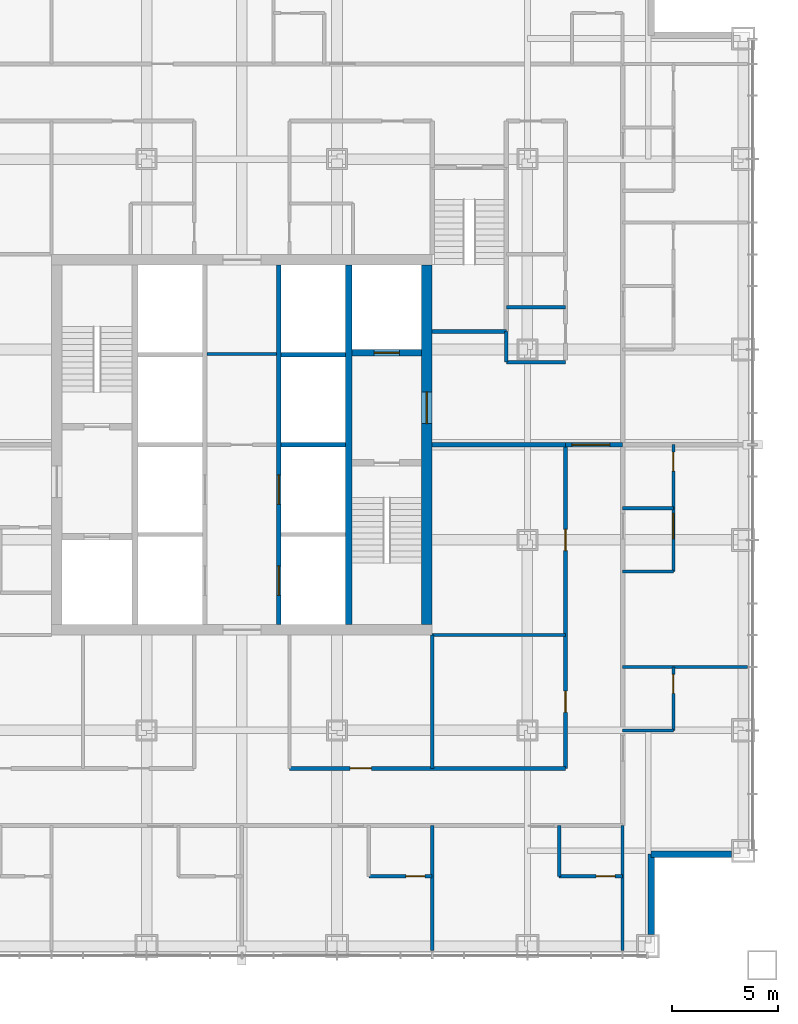
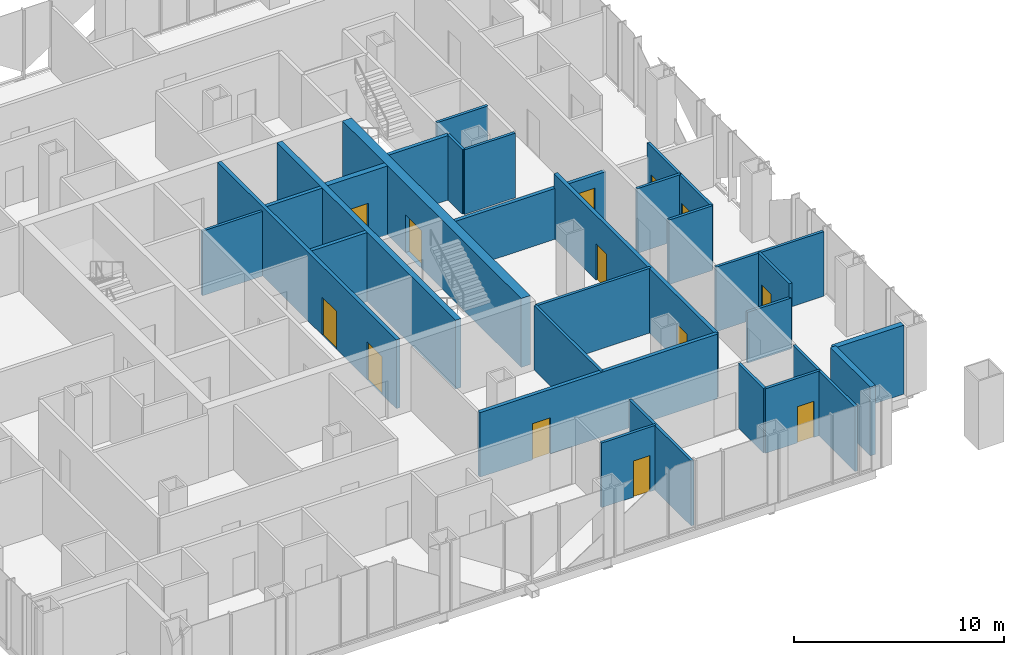
# One storey, part 10 of 13: 31 walls, 13 doors, 13 openings.
"""IFC4 building model written with IfcOpenShell, lengths in metres."""

from ifc_helpers import new_model, si_unit, direction, frame, frame_2d, origin, place, context, subcontext, project, spatial, rectangle, extrude, material, layer, layer_set, type_object, element, fill, save


model = new_model("IFC4")

# Units and contexts
model_context = context("Model", 3, precision=1e-05, world=origin(), true_north=direction((0.0, 1.0)))
body_context = subcontext(model_context, "Body", "Model", "MODEL_VIEW")
ifc_project = project(units=[si_unit("LENGTHUNIT", "METRE"), si_unit("AREAUNIT", "SQUARE_METRE"), si_unit("VOLUMEUNIT", "CUBIC_METRE"), si_unit("PLANEANGLEUNIT", "RADIAN"), si_unit("MASSUNIT", "GRAM", prefix="KILO")], contexts=[model_context])

# Site, building, storey
site_placement = place(None, origin())
site = spatial("IfcSite", under=ifc_project, at=site_placement, CompositionType="ELEMENT")
building_placement = place(site_placement, origin())
building = spatial("IfcBuilding", under=site, at=building_placement, Name="Malebo Sky Hospital", CompositionType="ELEMENT")
storey_placement = place(building_placement, frame((0.0, 0.0, 156.0)))
storey = spatial("IfcBuildingStorey", under=building, at=storey_placement, Name="L37", CompositionType="ELEMENT", Elevation=156.0)

# Wall, openings, doors
ifc_material_1 = material(Name="Concrete C80/95", Category="concrete")
ifc_layer_1 = layer(ifc_material_1, 0.199951171875)
ifc_layer_set_1 = layer_set([ifc_layer_1], Name="CORE INNER WALL 200")
wall_type_1 = type_object("IfcWallType", Name="CORE INNER WALL 200", PredefinedType="SHEAR", material=ifc_layer_set_1)
wall_1_placement = place(storey_placement, frame((61.75, 53.5, 0.0), z_axis=(0.0, 0.0, 1.0), x_axis=(0.0, 1.0, 0.0)))
wall_1 = element("IfcWall", 1, at=wall_1_placement, inside=storey, type_object=wall_type_1, Name="Core wall LE L37", PredefinedType="SHEAR", context=body_context, shape_type="SweptSolid", body=[
    extrude(rectangle(XDim=17.0, YDim=0.199951171875, at=frame_2d((8.5, 0.0))), origin(), (0.0, 0.0, 1.0), 4.0),
])
opening_1_placement = place(wall_1_placement, frame((1.375, 0.0, 0.0)))
opening_1 = element("IfcOpeningElement", 2, at=opening_1_placement, cuts=wall_1, Name="Opening LD1", PredefinedType="OPENING", context=body_context, shape_type="SweptSolid", body=[
    extrude(rectangle(XDim=1.39990234375, YDim=2.199951171875, at=frame_2d((0.699951171875, 1.10009765625))), frame((0.0, 0.10986328125, 0.0), z_axis=(0.0, -1.0, 0.0), x_axis=(1.0, 0.0, 0.0)), (0.0, 0.0, 1.0), 0.219970703125),
])
opening_2_placement = place(wall_1_placement, frame((5.675048828125, 0.0, 0.0)))
opening_2 = element("IfcOpeningElement", 3, at=opening_2_placement, cuts=wall_1, Name="Opening LD1", PredefinedType="OPENING", context=body_context, shape_type="SweptSolid", body=[
    extrude(rectangle(XDim=1.39990234375, YDim=2.199951171875, at=frame_2d((0.699951171875, 1.10009765625))), frame((0.0, 0.10986328125, 0.0), z_axis=(0.0, -1.0, 0.0), x_axis=(1.0, 0.0, 0.0)), (0.0, 0.0, 1.0), 0.219970703125),
])
ifc_material_2 = material(Name="Stainless steel sliding landing door", Category="steel")
door_type_1 = type_object("IfcDoorType", Name="LIFT LANDING DOOR 1400", OperationType="SLIDING_TO_LEFT", PredefinedType="DOOR", material=ifc_material_2)
door_1_placement = place(opening_1_placement, origin())
door_1 = element("IfcDoor", 4, at=door_1_placement, inside=storey, type_object=door_type_1, Name="Lift E1 landing door", OperationType="SLIDING_TO_LEFT", OverallHeight=2.199951171875, OverallWidth=1.39990234375, PredefinedType="DOOR", context=body_context, shape_type="SweptSolid", body=[
    extrude(rectangle(XDim=1.39990234375, YDim=2.199951171875, at=frame_2d((0.699951171875, 1.10009765625))), frame((0.0, 0.02490234375, 0.0), z_axis=(0.0, -1.0, 0.0), x_axis=(1.0, 0.0, 0.0)), (0.0, 0.0, 1.0), 0.050048828125),
])
fill(opening_1, door_1)
door_2_placement = place(opening_2_placement, origin())
door_2 = element("IfcDoor", 5, at=door_2_placement, inside=storey, type_object=door_type_1, Name="Lift E2 landing door", OperationType="SLIDING_TO_LEFT", OverallHeight=2.199951171875, OverallWidth=1.39990234375, PredefinedType="DOOR", context=body_context, shape_type="SweptSolid", body=[
    extrude(rectangle(XDim=1.39990234375, YDim=2.199951171875, at=frame_2d((0.699951171875, 1.10009765625))), frame((0.0, 0.02490234375, 0.0), z_axis=(0.0, -1.0, 0.0), x_axis=(1.0, 0.0, 0.0)), (0.0, 0.0, 1.0), 0.050048828125),
])
fill(opening_2, door_2)

# Walls
for number, where, z_axis, x_axis, name in (
    (6, (61.85009765625, 62.0, 0.0), (0.0, 0.0, 1.0), (1.0, 0.0, 0.0), "Core wall SE1 L37"),
    (7, (61.85009765625, 66.25, 0.0), (0.0, 0.0, 1.0), (1.0, 0.0, 0.0), "Core wall SE2 L37"),
):
    element("IfcWall", number, at=place(storey_placement, frame(where, z_axis=z_axis, x_axis=x_axis)), inside=storey, type_object=wall_type_1, Name=name, PredefinedType="SHEAR", context=body_context, shape_type="SweptSolid", body=[
        extrude(rectangle(XDim=3.0498046875, YDim=0.199951171875, at=frame_2d((1.52490234375, 0.0))), origin(), (0.0, 0.0, 1.0), 4.0),
    ])
ifc_layer_2 = layer(ifc_material_1, 0.300048828125)
ifc_layer_set_2 = layer_set([ifc_layer_2], Name="CORE INNER WALL 300")
wall_type_2 = type_object("IfcWallType", Name="CORE INNER WALL 300", PredefinedType="SHEAR", material=ifc_layer_set_2)
wall_2_placement = place(storey_placement, frame((65.050048828125, 53.5, 0.0), z_axis=(0.0, 0.0, 1.0), x_axis=(0.0, 1.0, 0.0)))
element("IfcWall", 8, at=wall_2_placement, inside=storey, type_object=wall_type_2, Name="Core wall XE L37", PredefinedType="SHEAR", context=body_context, shape_type="SweptSolid", body=[
    extrude(rectangle(XDim=17.0, YDim=0.300048828125, at=frame_2d((8.5, 0.0))), origin(), (0.0, 0.0, 1.0), 4.0),
])

# Wall, opening, door
wall_3_placement = place(storey_placement, frame((65.199951171875, 66.35009765625, 0.0), z_axis=(0.0, 0.0, 1.0), x_axis=(1.0, 0.0, 0.0)))
wall_3 = element("IfcWall", 9, at=wall_3_placement, inside=storey, type_object=wall_type_2, Name="Core wall E2 L37", PredefinedType="SHEAR", context=body_context, shape_type="SweptSolid", body=[
    extrude(rectangle(XDim=3.300048828125, YDim=0.300048828125, at=frame_2d((1.64990234375, 0.0))), origin(), (0.0, 0.0, 1.0), 4.0),
])
opening_3_placement = place(wall_3_placement, frame((1.050048828125, 0.0, 0.0)))
opening_3 = element("IfcOpeningElement", 10, at=opening_3_placement, cuts=wall_3, Name="Opening LD2", PredefinedType="OPENING", context=body_context, shape_type="SweptSolid", body=[
    extrude(rectangle(XDim=1.199951171875, YDim=2.199951171875, at=frame_2d((0.60009765625, 1.10009765625))), frame((0.0, 0.159912109375, 0.0), z_axis=(0.0, -1.0, 0.0), x_axis=(1.0, 0.0, 0.0)), (0.0, 0.0, 1.0), 0.320068359375),
])
door_type_2 = type_object("IfcDoorType", Name="FIRE-FIGHTING LIFT LANDING DOOR 1200", OperationType="SLIDING_TO_LEFT", PredefinedType="DOOR", material=ifc_material_2)
door_3_placement = place(opening_3_placement, origin())
door_3 = element("IfcDoor", 11, at=door_3_placement, inside=storey, type_object=door_type_2, Name="Lift FL2 landing door", OperationType="SLIDING_TO_LEFT", OverallHeight=2.199951171875, OverallWidth=1.199951171875, PredefinedType="DOOR", context=body_context, shape_type="SweptSolid", body=[
    extrude(rectangle(XDim=1.199951171875, YDim=2.199951171875, at=frame_2d((0.60009765625, 1.10009765625))), frame((0.0, 0.02490234375, 0.0), z_axis=(0.0, -1.0, 0.0), x_axis=(1.0, 0.0, 0.0)), (0.0, 0.0, 1.0), 0.050048828125),
])
fill(opening_3, door_3)

ifc_layer_3 = layer(ifc_material_1, 0.5)
ifc_layer_set_3 = layer_set([ifc_layer_3], Name="CORE WALL 500")
wall_type_3 = type_object("IfcWallType", Name="CORE WALL 500", PredefinedType="SHEAR", material=ifc_layer_set_3)
wall_4_placement = place(storey_placement, frame((68.75, 53.5, 0.0), z_axis=(0.0, 0.0, 1.0), x_axis=(0.0, 1.0, 0.0)))
wall_4 = element("IfcWall", 12, at=wall_4_placement, inside=storey, type_object=wall_type_3, Name="Core wall E L37", PredefinedType="SHEAR", context=body_context, shape_type="SweptSolid", body=[
    extrude(rectangle(XDim=17.0, YDim=0.5, at=frame_2d((8.5, 0.0))), origin(), (0.0, 0.0, 1.0), 4.0),
])
opening_4_placement = place(wall_4_placement, frame((9.5, 0.0, 0.0)))
opening_4 = element("IfcOpeningElement", 13, at=opening_4_placement, cuts=wall_4, Name="Opening D07", PredefinedType="OPENING", context=body_context, shape_type="SweptSolid", body=[
    extrude(rectangle(XDim=1.5, YDim=2.199951171875, at=frame_2d((0.75, 1.10009765625))), frame((0.0, 0.260009765625, 0.0), z_axis=(0.0, -1.0, 0.0), x_axis=(1.0, 0.0, 0.0)), (0.0, 0.0, 1.0), 0.52001953125),
])
ifc_material_3 = material(Name="Hardwood-faced door leaf in steel frame", Category="steel")
door_type_3 = type_object("IfcDoorType", Name="FIRE-FIGHTING LOBBY DOOR PAIR 1500", OperationType="DOUBLE_DOOR_SINGLE_SWING", PredefinedType="DOOR", material=ifc_material_3)
door_4_placement = place(opening_4_placement, origin())
door_4 = element("IfcDoor", 14, at=door_4_placement, inside=storey, type_object=door_type_3, Name="Fire-fighting lobby door east", OperationType="DOUBLE_DOOR_SINGLE_SWING", OverallHeight=2.199951171875, OverallWidth=1.5, PredefinedType="DOOR", context=body_context, shape_type="SweptSolid", body=[
    extrude(rectangle(XDim=1.5, YDim=2.199951171875, at=frame_2d((0.75, 1.10009765625))), frame((0.0, 0.02490234375, 0.0), z_axis=(0.0, -1.0, 0.0), x_axis=(1.0, 0.0, 0.0)), (0.0, 0.0, 1.0), 0.050048828125),
])
fill(opening_4, door_4)

ifc_material_4 = material(Name="Gypsum board on steel studs", Category="steel")
ifc_layer_4 = layer(ifc_material_4, 0.199951171875)
ifc_layer_set_4 = layer_set([ifc_layer_4], Name="CORRIDOR WALL 200")
wall_type_4 = type_object("IfcWallType", Name="CORRIDOR WALL 200", PredefinedType="PARTITIONING", material=ifc_layer_set_4)
wall_5_placement = place(storey_placement, frame((75.300048828125, 46.699951171875, 0.0), z_axis=(0.0, 0.0, 1.0), x_axis=(-1.0, 0.0, 0.0)))
wall_5 = element("IfcWall", 15, at=wall_5_placement, inside=storey, type_object=wall_type_4, Name="Corridor Wall 200 SCI1", PredefinedType="PARTITIONING", context=body_context, shape_type="SweptSolid", body=[
    extrude(rectangle(XDim=13.050048828125, YDim=0.199951171875, at=frame_2d((6.52490234375, 0.0))), origin(), (0.0, 0.0, 1.0), 3.75),
])
opening_5_placement = place(wall_5_placement, frame((9.175048828125, 0.0, 0.0)))
opening_5 = element("IfcOpeningElement", 16, at=opening_5_placement, cuts=wall_5, Name="Opening D03", PredefinedType="OPENING", context=body_context, shape_type="SweptSolid", body=[
    extrude(rectangle(XDim=1.0, YDim=2.10009765625, at=frame_2d((0.5, 1.050048828125))), frame((0.0, 0.10986328125, 0.0), z_axis=(0.0, -1.0, 0.0), x_axis=(1.0, 0.0, 0.0)), (0.0, 0.0, 1.0), 0.219970703125),
])
door_type_4 = type_object("IfcDoorType", Name="ROOM DOOR 1000", OperationType="SINGLE_SWING_LEFT", PredefinedType="DOOR", material=ifc_material_3)
door_5_placement = place(opening_5_placement, origin())
door_5 = element("IfcDoor", 17, at=door_5_placement, inside=storey, type_object=door_type_4, Name="Staff base door", OperationType="SINGLE_SWING_LEFT", OverallHeight=2.10009765625, OverallWidth=1.0, PredefinedType="DOOR", context=body_context, shape_type="SweptSolid", body=[
    extrude(rectangle(XDim=1.0, YDim=2.10009765625, at=frame_2d((0.5, 1.050048828125))), frame((0.0, 0.02490234375, 0.0), z_axis=(0.0, -1.0, 0.0), x_axis=(1.0, 0.0, 0.0)), (0.0, 0.0, 1.0), 0.050048828125),
])
fill(opening_5, door_5)

# Wall, openings, doors
wall_6_placement = place(storey_placement, frame((75.300048828125, 62.0, 0.0), z_axis=(0.0, 0.0, 1.0), x_axis=(0.0, -1.0, 0.0)))
wall_6 = element("IfcWall", 18, at=wall_6_placement, inside=storey, type_object=wall_type_4, Name="Corridor Wall 200 ECI2", PredefinedType="PARTITIONING", context=body_context, shape_type="SweptSolid", body=[
    extrude(rectangle(XDim=15.300048828125, YDim=0.199951171875, at=frame_2d((7.64990234375, 0.0))), origin(), (0.0, 0.0, 1.0), 3.75),
])
opening_6_placement = place(wall_6_placement, frame((4.0, 0.0, 0.0)))
opening_6 = element("IfcOpeningElement", 19, at=opening_6_placement, cuts=wall_6, Name="Opening D03", PredefinedType="OPENING", context=body_context, shape_type="SweptSolid", body=[
    extrude(rectangle(XDim=1.0, YDim=2.10009765625, at=frame_2d((0.5, 1.050048828125))), frame((0.0, 0.10986328125, 0.0), z_axis=(0.0, -1.0, 0.0), x_axis=(1.0, 0.0, 0.0)), (0.0, 0.0, 1.0), 0.219970703125),
])
opening_7_placement = place(wall_6_placement, frame((11.64990234375, 0.0, 0.0)))
opening_7 = element("IfcOpeningElement", 20, at=opening_7_placement, cuts=wall_6, Name="Opening D03", PredefinedType="OPENING", context=body_context, shape_type="SweptSolid", body=[
    extrude(rectangle(XDim=1.0, YDim=2.10009765625, at=frame_2d((0.5, 1.050048828125))), frame((0.0, 0.10986328125, 0.0), z_axis=(0.0, -1.0, 0.0), x_axis=(1.0, 0.0, 0.0)), (0.0, 0.0, 1.0), 0.219970703125),
])
door_6_placement = place(opening_6_placement, origin())
door_6 = element("IfcDoor", 21, at=door_6_placement, inside=storey, type_object=door_type_4, Name="Staff rest room door", OperationType="SINGLE_SWING_LEFT", OverallHeight=2.10009765625, OverallWidth=1.0, PredefinedType="DOOR", context=body_context, shape_type="SweptSolid", body=[
    extrude(rectangle(XDim=1.0, YDim=2.10009765625, at=frame_2d((0.5, 1.050048828125))), frame((0.0, 0.02490234375, 0.0), z_axis=(0.0, -1.0, 0.0), x_axis=(1.0, 0.0, 0.0)), (0.0, 0.0, 1.0), 0.050048828125),
])
fill(opening_6, door_6)
door_7_placement = place(opening_7_placement, origin())
door_7 = element("IfcDoor", 22, at=door_7_placement, inside=storey, type_object=door_type_4, Name="Interview room door", OperationType="SINGLE_SWING_RIGHT", OverallHeight=2.10009765625, OverallWidth=1.0, PredefinedType="DOOR", context=body_context, shape_type="SweptSolid", body=[
    extrude(rectangle(XDim=1.0, YDim=2.10009765625, at=frame_2d((0.5, 1.050048828125))), frame((0.0, 0.02490234375, 0.0), z_axis=(0.0, -1.0, 0.0), x_axis=(1.0, 0.0, 0.0)), (0.0, 0.0, 1.0), 0.050048828125),
])
fill(opening_7, door_7)

# Walls
ifc_material_5 = material(Name="Anodised aluminium rainscreen on steel framing", Category="steel")
ifc_layer_5 = layer(ifc_material_5, 0.300048828125)
ifc_layer_set_5 = layer_set([ifc_layer_5], Name="NOTCH RAINSCREEN WALL 300")
wall_type_5 = type_object("IfcWallType", Name="NOTCH RAINSCREEN WALL 300", PredefinedType="ELEMENTEDWALL", material=ifc_layer_set_5)
for number, where, z_axis, x_axis, name in (
    (23, (83.14990234375, 42.64990234375, 0.0), (0.0, 0.0, 1.0), (-1.0, 0.0, 0.0), "Notch rainscreen wall E1 L37"),
    (24, (79.35009765625, 42.64990234375, 0.0), (0.0, 0.0, 1.0), (0.0, -1.0, 0.0), "Notch rainscreen wall E2 L37"),
):
    element("IfcWall", number, at=place(storey_placement, frame(where, z_axis=z_axis, x_axis=x_axis)), inside=storey, type_object=wall_type_5, Name=name, PredefinedType="ELEMENTEDWALL", context=body_context, shape_type="SweptSolid", body=[
        extrude(rectangle(XDim=3.7998046875, YDim=0.300048828125, at=frame_2d((1.89990234375, 0.0))), origin(), (0.0, 0.0, 1.0), 4.0),
    ])
ifc_layer_6 = layer(ifc_material_4, 0.14990234375)
ifc_layer_set_6 = layer_set([ifc_layer_6], Name="PARTITION 150")
wall_type_6 = type_object("IfcWallType", Name="PARTITION 150", PredefinedType="PARTITIONING", material=ifc_layer_set_6)
for number, where, z_axis, x_axis, name in (
    (25, (69.0, 44.0, 0.0), (0.0, 0.0, 1.0), (0.0, -1.0, 0.0), "Partition 150 SP-9.0"),
    (26, (78.0, 44.0, 0.0), (0.0, 0.0, 1.0), (0.0, -1.0, 0.0), "Partition 150 SP0"),
):
    element("IfcWall", number, at=place(storey_placement, frame(where, z_axis=z_axis, x_axis=x_axis)), inside=storey, type_object=wall_type_6, Name=name, PredefinedType="PARTITIONING", context=body_context, shape_type="SweptSolid", body=[
        extrude(rectangle(XDim=5.909912109375, YDim=0.14990234375, at=frame_2d((2.955078125, 0.0))), origin(), (0.0, 0.0, 1.0), 3.75),
    ])

# Wall, opening, door
wall_7_placement = place(storey_placement, frame((78.0, 41.60009765625, 0.0), z_axis=(0.0, 0.0, 1.0), x_axis=(-1.0, 0.0, 0.0)))
wall_7 = element("IfcWall", 27, at=wall_7_placement, inside=storey, type_object=wall_type_6, Name="Partition 150 SE0F", PredefinedType="PARTITIONING", context=body_context, shape_type="SweptSolid", body=[
    extrude(rectangle(XDim=3.0, YDim=0.14990234375, at=frame_2d((1.5, 0.0))), origin(), (0.0, 0.0, 1.0), 3.75),
])
opening_8_placement = place(wall_7_placement, frame((0.35009765625, 0.0, 0.0)))
opening_8 = element("IfcOpeningElement", 28, at=opening_8_placement, cuts=wall_7, Name="Opening D02", PredefinedType="OPENING", context=body_context, shape_type="SweptSolid", body=[
    extrude(rectangle(XDim=0.89990234375, YDim=2.10009765625, at=frame_2d((0.449951171875, 1.050048828125))), frame((0.0, 0.0849609375, 0.0), z_axis=(0.0, -1.0, 0.0), x_axis=(1.0, 0.0, 0.0)), (0.0, 0.0, 1.0), 0.169921875),
])
door_type_5 = type_object("IfcDoorType", Name="EN-SUITE DOOR 900", OperationType="SINGLE_SWING_LEFT", PredefinedType="DOOR", material=ifc_material_3)
door_8_placement = place(opening_8_placement, origin())
door_8 = element("IfcDoor", 29, at=door_8_placement, inside=storey, type_object=door_type_5, Name="En-suite door", OperationType="SINGLE_SWING_LEFT", OverallHeight=2.10009765625, OverallWidth=0.89990234375, PredefinedType="DOOR", context=body_context, shape_type="SweptSolid", body=[
    extrude(rectangle(XDim=0.89990234375, YDim=2.10009765625, at=frame_2d((0.449951171875, 1.050048828125))), frame((0.0, 0.02490234375, 0.0), z_axis=(0.0, -1.0, 0.0), x_axis=(1.0, 0.0, 0.0)), (0.0, 0.0, 1.0), 0.050048828125),
])
fill(opening_8, door_8)

# Wall
wall_8_placement = place(storey_placement, frame((75.0, 44.0, 0.0), z_axis=(0.0, 0.0, 1.0), x_axis=(0.0, -1.0, 0.0)))
element("IfcWall", 30, at=wall_8_placement, inside=storey, type_object=wall_type_6, Name="Partition 150 SE0S", PredefinedType="PARTITIONING", context=body_context, shape_type="SweptSolid", body=[
    extrude(rectangle(XDim=2.39990234375, YDim=0.14990234375, at=frame_2d((1.199951171875, 0.0))), origin(), (0.0, 0.0, 1.0), 3.75),
])

# Wall, opening, door
wall_9_placement = place(storey_placement, frame((69.0, 41.60009765625, 0.0), z_axis=(0.0, 0.0, 1.0), x_axis=(-1.0, 0.0, 0.0)))
wall_9 = element("IfcWall", 31, at=wall_9_placement, inside=storey, type_object=wall_type_6, Name="Partition 150 SE1F", PredefinedType="PARTITIONING", context=body_context, shape_type="SweptSolid", body=[
    extrude(rectangle(XDim=3.0, YDim=0.14990234375, at=frame_2d((1.5, 0.0))), origin(), (0.0, 0.0, 1.0), 3.75),
])
opening_9_placement = place(wall_9_placement, frame((0.35009765625, 0.0, 0.0)))
opening_9 = element("IfcOpeningElement", 32, at=opening_9_placement, cuts=wall_9, Name="Opening D02", PredefinedType="OPENING", context=body_context, shape_type="SweptSolid", body=[
    extrude(rectangle(XDim=0.89990234375, YDim=2.10009765625, at=frame_2d((0.449951171875, 1.050048828125))), frame((0.0, 0.0849609375, 0.0), z_axis=(0.0, -1.0, 0.0), x_axis=(1.0, 0.0, 0.0)), (0.0, 0.0, 1.0), 0.169921875),
])
door_9_placement = place(opening_9_placement, origin())
door_9 = element("IfcDoor", 33, at=door_9_placement, inside=storey, type_object=door_type_5, Name="En-suite door", OperationType="SINGLE_SWING_LEFT", OverallHeight=2.10009765625, OverallWidth=0.89990234375, PredefinedType="DOOR", context=body_context, shape_type="SweptSolid", body=[
    extrude(rectangle(XDim=0.89990234375, YDim=2.10009765625, at=frame_2d((0.449951171875, 1.050048828125))), frame((0.0, 0.02490234375, 0.0), z_axis=(0.0, -1.0, 0.0), x_axis=(1.0, 0.0, 0.0)), (0.0, 0.0, 1.0), 0.050048828125),
])
fill(opening_9, door_9)

# Walls
wall_10_placement = place(storey_placement, frame((69.0, 53.0, 0.0), z_axis=(0.0, 0.0, 1.0), x_axis=(0.0, -1.0, 0.0)))
element("IfcWall", 34, at=wall_10_placement, inside=storey, type_object=wall_type_6, Name="Partition 150 SSP0", PredefinedType="PARTITIONING", context=body_context, shape_type="SweptSolid", body=[
    extrude(rectangle(XDim=6.300048828125, YDim=0.14990234375, at=frame_2d((3.14990234375, 0.0))), origin(), (0.0, 0.0, 1.0), 3.75),
])
wall_11_placement = place(storey_placement, frame((78.0, 51.5, 0.0), z_axis=(0.0, 0.0, 1.0), x_axis=(1.0, 0.0, 0.0)))
element("IfcWall", 35, at=wall_11_placement, inside=storey, type_object=wall_type_6, Name="Partition 150 EP+10.5", PredefinedType="PARTITIONING", context=body_context, shape_type="SweptSolid", body=[
    extrude(rectangle(XDim=5.909912109375, YDim=0.14990234375, at=frame_2d((2.955078125, 0.0))), origin(), (0.0, 0.0, 1.0), 3.75),
])

# Wall, opening, door
wall_12_placement = place(storey_placement, frame((80.39990234375, 62.0, 0.0), z_axis=(0.0, 0.0, 1.0), x_axis=(0.0, -1.0, 0.0)))
wall_12 = element("IfcWall", 36, at=wall_12_placement, inside=storey, type_object=wall_type_6, Name="Partition 150 EE2F", PredefinedType="PARTITIONING", context=body_context, shape_type="SweptSolid", body=[
    extrude(rectangle(XDim=3.0, YDim=0.14990234375, at=frame_2d((1.5, 0.0))), origin(), (0.0, 0.0, 1.0), 3.75),
])
opening_10_placement = place(wall_12_placement, frame((0.35009765625, 0.0, 0.0)))
opening_10 = element("IfcOpeningElement", 37, at=opening_10_placement, cuts=wall_12, Name="Opening D02", PredefinedType="OPENING", context=body_context, shape_type="SweptSolid", body=[
    extrude(rectangle(XDim=0.89990234375, YDim=2.10009765625, at=frame_2d((0.449951171875, 1.050048828125))), frame((0.0, 0.0849609375, 0.0), z_axis=(0.0, -1.0, 0.0), x_axis=(1.0, 0.0, 0.0)), (0.0, 0.0, 1.0), 0.169921875),
])
door_10_placement = place(opening_10_placement, origin())
door_10 = element("IfcDoor", 38, at=door_10_placement, inside=storey, type_object=door_type_5, Name="En-suite door", OperationType="SINGLE_SWING_LEFT", OverallHeight=2.10009765625, OverallWidth=0.89990234375, PredefinedType="DOOR", context=body_context, shape_type="SweptSolid", body=[
    extrude(rectangle(XDim=0.89990234375, YDim=2.10009765625, at=frame_2d((0.449951171875, 1.050048828125))), frame((0.0, 0.02490234375, 0.0), z_axis=(0.0, -1.0, 0.0), x_axis=(1.0, 0.0, 0.0)), (0.0, 0.0, 1.0), 0.050048828125),
])
fill(opening_10, door_10)

# Wall
wall_13_placement = place(storey_placement, frame((78.0, 59.0, 0.0), z_axis=(0.0, 0.0, 1.0), x_axis=(1.0, 0.0, 0.0)))
element("IfcWall", 39, at=wall_13_placement, inside=storey, type_object=wall_type_6, Name="Partition 150 EE2S", PredefinedType="PARTITIONING", context=body_context, shape_type="SweptSolid", body=[
    extrude(rectangle(XDim=2.39990234375, YDim=0.14990234375, at=frame_2d((1.199951171875, 0.0))), origin(), (0.0, 0.0, 1.0), 3.75),
])

# Wall, opening, door
wall_14_placement = place(storey_placement, frame((80.39990234375, 51.5, 0.0), z_axis=(0.0, 0.0, 1.0), x_axis=(0.0, -1.0, 0.0)))
wall_14 = element("IfcWall", 40, at=wall_14_placement, inside=storey, type_object=wall_type_6, Name="Partition 150 EE3F", PredefinedType="PARTITIONING", context=body_context, shape_type="SweptSolid", body=[
    extrude(rectangle(XDim=3.0, YDim=0.14990234375, at=frame_2d((1.5, 0.0))), origin(), (0.0, 0.0, 1.0), 3.75),
])
opening_11_placement = place(wall_14_placement, frame((0.35009765625, 0.0, 0.0)))
opening_11 = element("IfcOpeningElement", 41, at=opening_11_placement, cuts=wall_14, Name="Opening D02", PredefinedType="OPENING", context=body_context, shape_type="SweptSolid", body=[
    extrude(rectangle(XDim=0.89990234375, YDim=2.10009765625, at=frame_2d((0.449951171875, 1.050048828125))), frame((0.0, 0.0849609375, 0.0), z_axis=(0.0, -1.0, 0.0), x_axis=(1.0, 0.0, 0.0)), (0.0, 0.0, 1.0), 0.169921875),
])
door_11_placement = place(opening_11_placement, origin())
door_11 = element("IfcDoor", 42, at=door_11_placement, inside=storey, type_object=door_type_5, Name="En-suite door", OperationType="SINGLE_SWING_LEFT", OverallHeight=2.10009765625, OverallWidth=0.89990234375, PredefinedType="DOOR", context=body_context, shape_type="SweptSolid", body=[
    extrude(rectangle(XDim=0.89990234375, YDim=2.10009765625, at=frame_2d((0.449951171875, 1.050048828125))), frame((0.0, 0.02490234375, 0.0), z_axis=(0.0, -1.0, 0.0), x_axis=(1.0, 0.0, 0.0)), (0.0, 0.0, 1.0), 0.050048828125),
])
fill(opening_11, door_11)

# Walls
wall_15_placement = place(storey_placement, frame((78.0, 48.5, 0.0), z_axis=(0.0, 0.0, 1.0), x_axis=(1.0, 0.0, 0.0)))
element("IfcWall", 43, at=wall_15_placement, inside=storey, type_object=wall_type_6, Name="Partition 150 EE3S", PredefinedType="PARTITIONING", context=body_context, shape_type="SweptSolid", body=[
    extrude(rectangle(XDim=2.39990234375, YDim=0.14990234375, at=frame_2d((1.199951171875, 0.0))), origin(), (0.0, 0.0, 1.0), 2.949951171875),
])
for number, where, z_axis, x_axis, name in (
    (44, (72.5, 65.89990234375, 0.0), (0.0, 0.0, 1.0), (1.0, 0.0, 0.0), "Partition 150 ESPA"),
    (45, (72.5, 68.5, 0.0), (0.0, 0.0, 1.0), (1.0, 0.0, 0.0), "Partition 150 ESP-6.5"),
):
    element("IfcWall", number, at=place(storey_placement, frame(where, z_axis=z_axis, x_axis=x_axis)), inside=storey, type_object=wall_type_6, Name=name, PredefinedType="PARTITIONING", context=body_context, shape_type="SweptSolid", body=[
        extrude(rectangle(XDim=2.800048828125, YDim=0.14990234375, at=frame_2d((1.39990234375, 0.0))), origin(), (0.0, 0.0, 1.0), 3.75),
    ])
wall_16_placement = place(storey_placement, frame((69.0, 53.0, 0.0), z_axis=(0.0, 0.0, 1.0), x_axis=(1.0, 0.0, 0.0)))
element("IfcWall", 46, at=wall_16_placement, inside=storey, type_object=wall_type_6, Name="Partition 150 ESP+9.0", PredefinedType="PARTITIONING", context=body_context, shape_type="SweptSolid", body=[
    extrude(rectangle(XDim=6.300048828125, YDim=0.14990234375, at=frame_2d((3.14990234375, 0.0))), origin(), (0.0, 0.0, 1.0), 3.75),
])
wall_17_placement = place(storey_placement, frame((58.35009765625, 66.28759765625, 0.0), z_axis=(0.0, 0.0, 1.0), x_axis=(1.0, 0.0, 0.0)))
element("IfcWall", 47, at=wall_17_placement, inside=storey, type_object=wall_type_6, Name="Partition 150 LBN1", PredefinedType="PARTITIONING", context=body_context, shape_type="SweptSolid", body=[
    extrude(rectangle(XDim=3.2998046875, YDim=0.14990234375, at=frame_2d((1.64990234375, 0.0))), origin(), (0.0, 0.0, 1.0), 3.75),
])
wall_18_placement = place(storey_placement, frame((72.5, 65.89990234375, 0.0), z_axis=(0.0, 0.0, 1.0), x_axis=(0.0, 1.0, 0.0)))
element("IfcWall", 48, at=wall_18_placement, inside=storey, type_object=wall_type_6, Name="Partition 150 ST3C", PredefinedType="PARTITIONING", context=body_context, shape_type="SweptSolid", body=[
    extrude(rectangle(XDim=1.4501953125, YDim=0.14990234375, at=frame_2d((0.72509765625, 0.0))), origin(), (0.0, 0.0, 1.0), 3.75),
])

# Wall, opening, door
ifc_material_6 = material(Name="Sealed gypsum board on steel studs, taped to the slab", Category="steel")
ifc_layer_7 = layer(ifc_material_6, 0.14990234375)
ifc_layer_set_7 = layer_set([ifc_layer_7], Name="SEALED ISOLATION PARTITION 150")
wall_type_7 = type_object("IfcWallType", Name="SEALED ISOLATION PARTITION 150", PredefinedType="PARTITIONING", material=ifc_layer_set_7)
wall_19_placement = place(storey_placement, frame((80.39990234375, 59.0, 0.0), z_axis=(0.0, 0.0, 1.0), x_axis=(0.0, -1.0, 0.0)))
wall_19 = element("IfcWall", 49, at=wall_19_placement, inside=storey, type_object=wall_type_7, Name="Sealed Isolation Partition 150 EA2F", PredefinedType="PARTITIONING", context=body_context, shape_type="SweptSolid", body=[
    extrude(rectangle(XDim=3.0, YDim=0.14990234375, at=frame_2d((1.5, 0.0))), origin(), (0.0, 0.0, 1.0), 3.75),
])
opening_12_placement = place(wall_19_placement, frame((0.25, 0.0, 0.0)))
opening_12 = element("IfcOpeningElement", 50, at=opening_12_placement, cuts=wall_19, Name="Opening D19", PredefinedType="OPENING", context=body_context, shape_type="SweptSolid", body=[
    extrude(rectangle(XDim=1.199951171875, YDim=2.199951171875, at=frame_2d((0.60009765625, 1.10009765625))), frame((0.0, 0.0849609375, 0.0), z_axis=(0.0, -1.0, 0.0), x_axis=(1.0, 0.0, 0.0)), (0.0, 0.0, 1.0), 0.169921875),
])
ifc_material_7 = material(Name="Hardwood-faced door leaf with perimeter seals in steel frame", Category="steel")
door_type_6 = type_object("IfcDoorType", Name="SEALED ISOLATION ROOM DOOR 1200", OperationType="SINGLE_SWING_LEFT", PredefinedType="DOOR", material=ifc_material_7)
door_12_placement = place(opening_12_placement, origin())
door_12 = element("IfcDoor", 51, at=door_12_placement, inside=storey, type_object=door_type_6, Name="Isolation room door", OperationType="SINGLE_SWING_LEFT", OverallHeight=2.199951171875, OverallWidth=1.199951171875, PredefinedType="DOOR", context=body_context, shape_type="SweptSolid", body=[
    extrude(rectangle(XDim=1.199951171875, YDim=2.199951171875, at=frame_2d((0.60009765625, 1.10009765625))), frame((0.0, 0.02490234375, 0.0), z_axis=(0.0, -1.0, 0.0), x_axis=(1.0, 0.0, 0.0)), (0.0, 0.0, 1.0), 0.050048828125),
])
fill(opening_12, door_12)

# Walls
wall_20_placement = place(storey_placement, frame((78.0, 56.0, 0.0), z_axis=(0.0, 0.0, 1.0), x_axis=(1.0, 0.0, 0.0)))
element("IfcWall", 52, at=wall_20_placement, inside=storey, type_object=wall_type_7, Name="Sealed Isolation Partition 150 EA2S", PredefinedType="PARTITIONING", context=body_context, shape_type="SweptSolid", body=[
    extrude(rectangle(XDim=2.39990234375, YDim=0.14990234375, at=frame_2d((1.199951171875, 0.0))), origin(), (0.0, 0.0, 1.0), 3.75),
])
ifc_material_8 = material(Name="Concrete blockwork", Category="masonry")
ifc_layer_8 = layer(ifc_material_8, 0.199951171875)
ifc_layer_set_8 = layer_set([ifc_layer_8], Name="SMOKE BARRIER WALL 200")
wall_type_8 = type_object("IfcWallType", Name="SMOKE BARRIER WALL 200", PredefinedType="SOLIDWALL", material=ifc_layer_set_8)
wall_21_placement = place(storey_placement, frame((69.0, 62.0, 0.0), z_axis=(0.0, 0.0, 1.0), x_axis=(1.0, 0.0, 0.0)))
element("IfcWall", 53, at=wall_21_placement, inside=storey, type_object=wall_type_8, Name="Smoke Barrier Wall 200 ESPB", PredefinedType="SOLIDWALL", context=body_context, shape_type="SweptSolid", body=[
    extrude(rectangle(XDim=6.300048828125, YDim=0.199951171875, at=frame_2d((3.14990234375, 0.0))), origin(), (0.0, 0.0, 1.0), 2.949951171875),
])

# Wall, opening, door
wall_22_placement = place(storey_placement, frame((75.300048828125, 62.0, 0.0), z_axis=(0.0, 0.0, 1.0), x_axis=(1.0, 0.0, 0.0)))
wall_22 = element("IfcWall", 54, at=wall_22_placement, inside=storey, type_object=wall_type_8, Name="Smoke Barrier Wall 200 ESB", PredefinedType="SOLIDWALL", context=body_context, shape_type="SweptSolid", body=[
    extrude(rectangle(XDim=2.699951171875, YDim=0.199951171875, at=frame_2d((1.35009765625, 0.0))), origin(), (0.0, 0.0, 1.0), 2.949951171875),
])
opening_13_placement = place(wall_22_placement, frame((0.300048828125, 0.0, 0.0)))
opening_13 = element("IfcOpeningElement", 55, at=opening_13_placement, cuts=wall_22, Name="Opening D05", PredefinedType="OPENING", context=body_context, shape_type="SweptSolid", body=[
    extrude(rectangle(XDim=1.800048828125, YDim=2.199951171875, at=frame_2d((0.89990234375, 1.10009765625))), frame((0.0, 0.10986328125, 0.0), z_axis=(0.0, -1.0, 0.0), x_axis=(1.0, 0.0, 0.0)), (0.0, 0.0, 1.0), 0.219970703125),
])
door_type_7 = type_object("IfcDoorType", Name="SMOKE DOOR PAIR 1800", OperationType="DOUBLE_DOOR_DOUBLE_SWING", PredefinedType="DOOR", material=ifc_material_3)
door_13_placement = place(opening_13_placement, origin())
door_13 = element("IfcDoor", 56, at=door_13_placement, inside=storey, type_object=door_type_7, Name="Smoke compartment door pair", OperationType="DOUBLE_DOOR_DOUBLE_SWING", OverallHeight=2.199951171875, OverallWidth=1.800048828125, PredefinedType="DOOR", context=body_context, shape_type="SweptSolid", body=[
    extrude(rectangle(XDim=1.800048828125, YDim=2.199951171875, at=frame_2d((0.89990234375, 1.10009765625))), frame((0.0, 0.02490234375, 0.0), z_axis=(0.0, -1.0, 0.0), x_axis=(1.0, 0.0, 0.0)), (0.0, 0.0, 1.0), 0.050048828125),
])
fill(opening_13, door_13)

# Wall
ifc_material_9 = material(Name="Concrete C40/50", Category="concrete")
ifc_layer_9 = layer(ifc_material_9, 0.199951171875)
ifc_layer_set_9 = layer_set([ifc_layer_9], Name="STAIR ENCLOSURE WALL 200")
wall_type_9 = type_object("IfcWallType", Name="STAIR ENCLOSURE WALL 200", PredefinedType="SOLIDWALL", material=ifc_layer_set_9)
wall_23_placement = place(storey_placement, frame((69.0, 67.35009765625, 0.0), z_axis=(0.0, 0.0, 1.0), x_axis=(1.0, 0.0, 0.0)))
element("IfcWall", 57, at=wall_23_placement, inside=storey, type_object=wall_type_9, Name="Stair Enclosure Wall 200 ST3S", PredefinedType="SOLIDWALL", context=body_context, shape_type="SweptSolid", body=[
    extrude(rectangle(XDim=3.5, YDim=0.199951171875, at=frame_2d((1.75, 0.0))), origin(), (0.0, 0.0, 1.0), 3.75),
])

save(model, "model.ifc")
